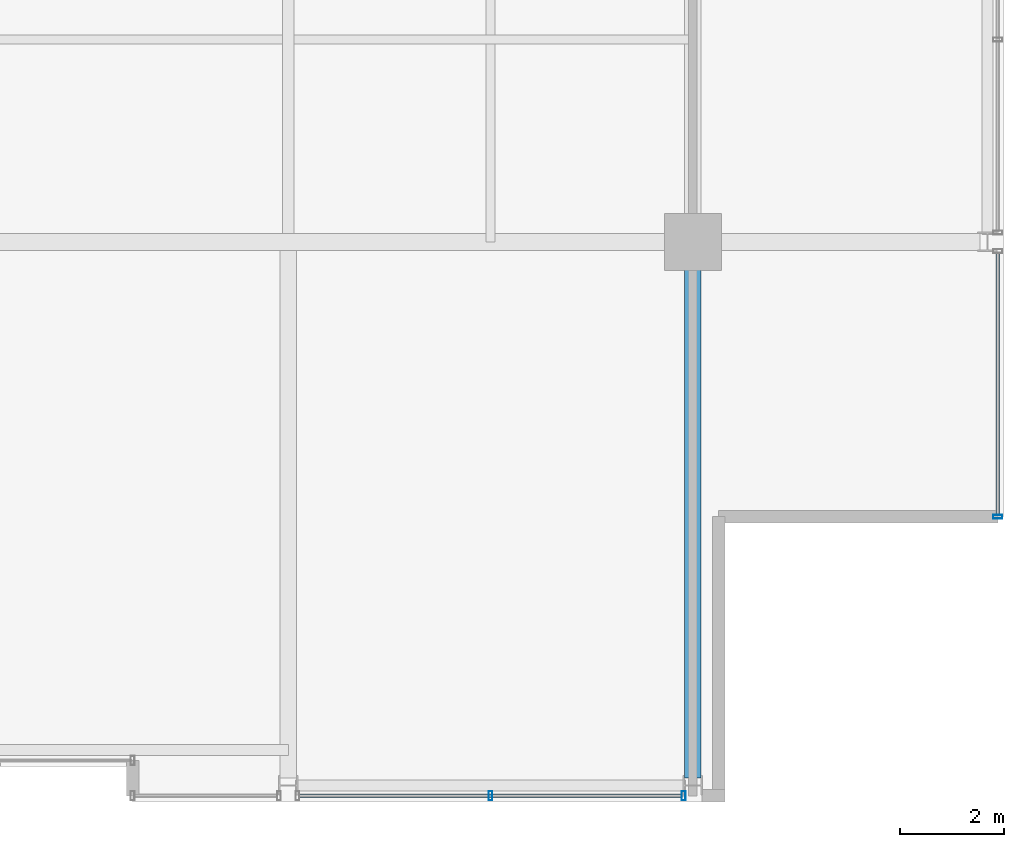
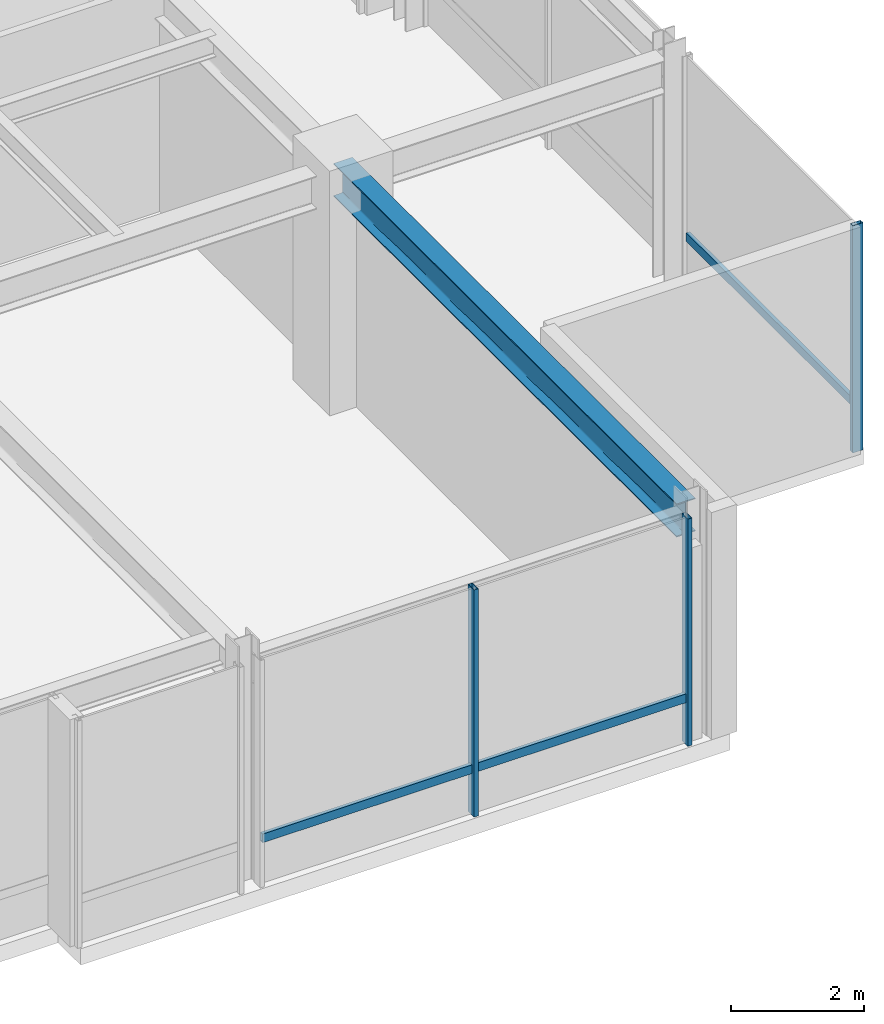
# One storey, part 13 of 32: 5 members, 1 beam, 2 elements without a shape of their own.
"""IFC4 building model written with IfcOpenShell, lengths in metres."""

from ifc_helpers import new_model, si_unit, direction, frame, origin, origin_2d, place, context, subcontext, project, spatial, hollow_rectangle, i_section, extrude, material, layer, layer_set, material_profile, profile_set, type_object, element, aggregate, save


model = new_model("IFC4")

# Units and contexts
model_context = context("Model", 3, precision=1e-05, world=origin(), true_north=direction((0.0, 1.0)))
body_context = subcontext(model_context, "Body", "Model", "MODEL_VIEW")
ifc_project = project(units=[si_unit("LENGTHUNIT", "METRE"), si_unit("AREAUNIT", "SQUARE_METRE"), si_unit("VOLUMEUNIT", "CUBIC_METRE"), si_unit("PLANEANGLEUNIT", "RADIAN"), si_unit("MASSUNIT", "GRAM", prefix="KILO")], contexts=[model_context])

# Site, building, storey
site_placement = place(None, origin())
site = spatial("IfcSite", under=ifc_project, at=site_placement, CompositionType="ELEMENT")
building_placement = place(site_placement, origin())
building = spatial("IfcBuilding", under=site, at=building_placement, Name="Drelvath Grand Hotel", CompositionType="ELEMENT")
storey_placement = place(building_placement, frame((0.0, 0.0, 255.5)))
storey = spatial("IfcBuildingStorey", under=building, at=storey_placement, Name="L67", CompositionType="ELEMENT", Elevation=255.5)

# Curtain wall, member
ifc_material_1 = material(Name="Platinum-Mist Anodised Aluminium Frame", Category="aluminium")
ifc_layer = layer(ifc_material_1, 0.199951171875)
ifc_layer_set = layer_set([ifc_layer], Name="Platinum-Mist Anodised Aluminium Frame")
curtain_wall_type = type_object("IfcCurtainWallType", Name="Stick Curtain Wall CW-05 Platinum Mist High-Rise", PredefinedType="NOTDEFINED", material=ifc_layer_set)
curtain_wall_1_placement = place(storey_placement, origin())
curtain_wall_1 = element("IfcCurtainWall", 1, at=curtain_wall_1_placement, inside=storey, type_object=curtain_wall_type, Name="L67 CW-05 Curtain Wall CW05-L67-ES1", PredefinedType="NOTDEFINED")
ifc_material_profile_1 = material_profile(ifc_material_1, hollow_rectangle(XDim=0.06494140625, YDim=0.159912109375, WallThickness=0.00390625, at=origin_2d()), Name="HSS160X65X4")
ifc_profile_set_1 = profile_set([ifc_material_profile_1], Name="Platinum-Mist Anodised Aluminium Frame")
member_type_1 = type_object("IfcMemberType", Name="Curtain Wall Horizontal Transom CW-05 HSS160X65X4", PredefinedType="USERDEFINED", material=ifc_profile_set_1)
member_1_placement = place(storey_placement, frame((22.080078125, 10.581787109375, 0.85009765625), z_axis=(0.0, -1.0, 0.0), x_axis=(1.0, 0.0, 0.0)))
member_1 = element("IfcMember", 2, at=member_1_placement, type_object=member_type_1, Name="CW05-L67-ES1 Sill Transom", ObjectType="TRANSOM", PredefinedType="USERDEFINED", context=body_context, shape_type="SweptSolid", body=[
    extrude(hollow_rectangle(XDim=0.06494140625, YDim=0.159912109375, WallThickness=0.00390625, at=origin_2d()), origin(), (0.0, 0.0, 1.0), 5.041748046875),
])

curtain_wall_2_placement = place(storey_placement, origin())
curtain_wall_2 = element("IfcCurtainWall", 3, at=curtain_wall_2_placement, inside=storey, type_object=curtain_wall_type, Name="L67 CW-05 Curtain Wall CW05-L67-SE2", PredefinedType="NOTDEFINED")
member_2_placement = place(storey_placement, frame((15.981689453125, 0.1201171875, 0.85009765625), z_axis=(-1.0, 0.0, 0.0), x_axis=(0.0, -1.0, 0.0)))
member_2 = element("IfcMember", 4, at=member_2_placement, type_object=member_type_1, Name="CW05-L67-SE2 Sill Transom", ObjectType="TRANSOM", PredefinedType="USERDEFINED", context=body_context, shape_type="SweptSolid", body=[
    extrude(hollow_rectangle(XDim=0.06494140625, YDim=0.159912109375, WallThickness=0.00390625, at=origin_2d()), origin(), (0.0, 0.0, 1.0), 7.363525390625),
])

# Member
ifc_material_profile_2 = material_profile(ifc_material_1, hollow_rectangle(XDim=0.074951171875, YDim=0.179931640625, WallThickness=0.0048828125, at=origin_2d()), Name="HSS180X75X5")
ifc_profile_set_2 = profile_set([ifc_material_profile_2], Name="Platinum-Mist Anodised Aluminium Frame")
member_type_2 = type_object("IfcMemberType", Name="Curtain Wall Vertical Mullion CW-05 HSS180X75X5", PredefinedType="MULLION", material=ifc_profile_set_2)
member_3_placement = place(storey_placement, frame((22.080078125, 5.5, 0.0), z_axis=(0.0, 0.0, 1.0), x_axis=(0.0, 1.0, 0.0)))
member_3 = element("IfcMember", 5, at=member_3_placement, type_object=member_type_2, Name="CW05-L67-ES1 Mullion 2", PredefinedType="MULLION", context=body_context, shape_type="SweptSolid", body=[
    extrude(hollow_rectangle(XDim=0.074951171875, YDim=0.179931640625, WallThickness=0.0048828125, at=origin_2d()), origin(), (0.0, 0.0, 1.0), 4.179931640625),
])

aggregate(curtain_wall_1, [member_3, member_1])

member_4_placement = place(storey_placement, frame((16.021728515625, 0.1201171875, 0.0), z_axis=(0.0, 0.0, 1.0), x_axis=(1.0, 0.0, 0.0)))
member_4 = element("IfcMember", 6, at=member_4_placement, type_object=member_type_2, Name="CW05-L67-SE2 Mullion 1", PredefinedType="MULLION", context=body_context, shape_type="SweptSolid", body=[
    extrude(hollow_rectangle(XDim=0.074951171875, YDim=0.179931640625, WallThickness=0.0048828125, at=origin_2d()), origin(), (0.0, 0.0, 1.0), 4.179931640625),
])

member_5_placement = place(storey_placement, frame((12.300048828125, 0.1201171875, 0.0), z_axis=(0.0, 0.0, 1.0), x_axis=(1.0, 0.0, 0.0)))
member_5 = element("IfcMember", 7, at=member_5_placement, type_object=member_type_2, Name="CW05-L67-SE2 Mullion 2", PredefinedType="MULLION", context=body_context, shape_type="SweptSolid", body=[
    extrude(hollow_rectangle(XDim=0.074951171875, YDim=0.179931640625, WallThickness=0.0048828125, at=origin_2d()), origin(), (0.0, 0.0, 1.0), 4.179931640625),
])

aggregate(curtain_wall_2, [member_4, member_5, member_2])

# Beam
ifc_material_2 = material(Name="Steel ASTM A992 Gr 50", Category="steel")
ifc_material_profile_3 = material_profile(ifc_material_2, i_section(OverallWidth=0.323974609375, OverallDepth=0.611083984375, WebThickness=0.0126953125, FlangeThickness=0.01904296875, FilletRadius=0.02197265625, at=origin_2d()), Name="W24X104")
ifc_profile_set_3 = profile_set([ifc_material_profile_3], Name="Steel ASTM A992 Gr 50")
beam_type = type_object("IfcBeamType", Name="Primary Floor Girder W24X104", PredefinedType="BEAM", material=ifc_profile_set_3)
beam_placement = place(storey_placement, frame((16.199951171875, 0.4599609375, 3.87451171875), z_axis=(0.0, 1.0, 0.0), x_axis=(-1.0, 0.0, 0.0)))
element("IfcBeam", 8, at=beam_placement, inside=storey, type_object=beam_type, Name="L67 South Grid Girder 7", PredefinedType="BEAM", context=body_context, shape_type="SweptSolid", body=[
    extrude(i_section(OverallWidth=0.323974609375, OverallDepth=0.611083984375, WebThickness=0.0126953125, FlangeThickness=0.01904296875, FilletRadius=0.02197265625, at=origin_2d()), origin(), (0.0, 0.0, 1.0), 10.340087890625),
])

save(model, "model.ifc")
